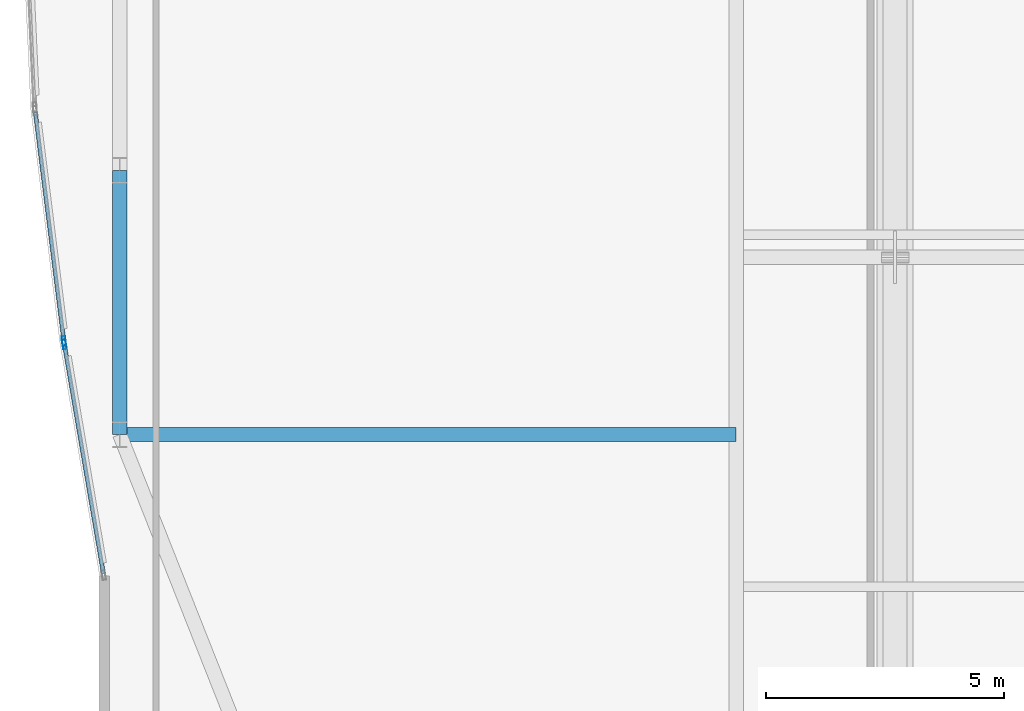
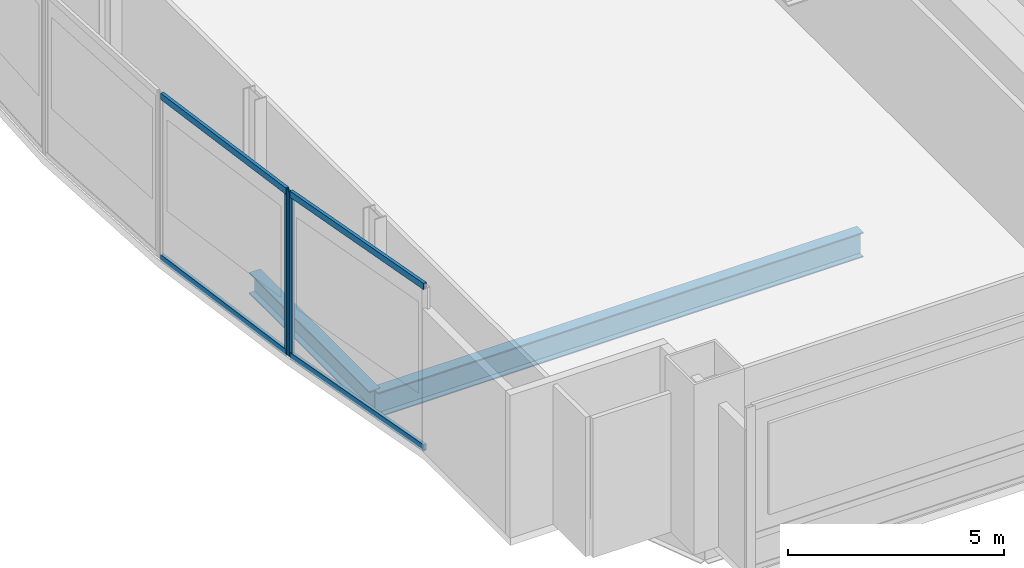
# One storey, part 6 of 30: 6 members, 2 beams, 2 elements without a shape of their own.
"""IFC4 building model written with IfcOpenShell, lengths in metres."""

from ifc_helpers import new_model, si_unit, direction, frame, origin, origin_2d, place, context, subcontext, project, spatial, hollow_rectangle, i_section, extrude, material, material_profile, profile_set, type_object, element, aggregate, save


model = new_model("IFC4")

# Units and contexts
model_context = context("Model", 3, precision=1e-05, world=origin(), true_north=direction((0.0, 1.0)))
body_context = subcontext(model_context, "Body", "Model", "MODEL_VIEW")
ifc_project = project(units=[si_unit("LENGTHUNIT", "METRE"), si_unit("AREAUNIT", "SQUARE_METRE"), si_unit("VOLUMEUNIT", "CUBIC_METRE"), si_unit("PLANEANGLEUNIT", "RADIAN"), si_unit("MASSUNIT", "GRAM", prefix="KILO")], contexts=[model_context])

# Site, building, storey
site_placement = place(None, origin())
site = spatial("IfcSite", under=ifc_project, at=site_placement, CompositionType="ELEMENT")
building_placement = place(site_placement, origin())
building = spatial("IfcBuilding", under=site, at=building_placement, Name="Khoronbel Lancet Exchange", CompositionType="ELEMENT")
storey_placement = place(building_placement, frame((0.0, 0.0, 172.199951171875)))
storey = spatial("IfcBuildingStorey", under=building, at=storey_placement, Name="L43", CompositionType="ELEMENT", Elevation=172.199951171875)

# Beams
ifc_material_1 = material(Name="Steel S355", Category="steel")
ifc_material_profile_1 = material_profile(ifc_material_1, i_section(OverallWidth=0.300048828125, OverallDepth=0.699951171875, WebThickness=0.01708984375, FlangeThickness=0.031982421875, at=origin_2d()), Name="HEB 700")
ifc_profile_set_1 = profile_set([ifc_material_profile_1], Name="Steel S355")
beam_type_1 = type_object("IfcBeamType", Name="BM-BG3", PredefinedType="BEAM", material=ifc_profile_set_1)
beam_1_placement = place(storey_placement, frame((5.27001953125, 19.199951171875, -0.570068359375), z_axis=(1.0, 0.0, 0.0), x_axis=(0.0, 1.0, 0.0)))
element("IfcBeam", 1, at=beam_1_placement, inside=storey, type_object=beam_type_1, Name="Level L43 west lens tie girder LG1W", PredefinedType="BEAM", context=body_context, shape_type="SweptSolid", body=[
    extrude(i_section(OverallWidth=0.300048828125, OverallDepth=0.699951171875, WebThickness=0.01708984375, FlangeThickness=0.031982421875, at=origin_2d()), origin(), (0.0, 0.0, 1.0), 12.955078125),
])
ifc_material_profile_2 = material_profile(ifc_material_1, i_section(OverallWidth=0.300048828125, OverallDepth=0.60009765625, WebThickness=0.015380859375, FlangeThickness=0.030029296875, at=origin_2d()), Name="HEB 600")
ifc_profile_set_2 = profile_set([ifc_material_profile_2], Name="Steel S355")
beam_type_2 = type_object("IfcBeamType", Name="BM-BSP2", PredefinedType="SPANDREL", material=ifc_profile_set_2)
beam_2_placement = place(storey_placement, frame((5.27001953125, 24.75, -0.52001953125), z_axis=(0.0, -1.0, 0.0), x_axis=(1.0, 0.0, 0.0)))
element("IfcBeam", 2, at=beam_2_placement, inside=storey, type_object=beam_type_2, Name="Level L43 perimeter spandrel beam SP20", PredefinedType="SPANDREL", context=body_context, shape_type="SweptSolid", body=[
    extrude(i_section(OverallWidth=0.300048828125, OverallDepth=0.60009765625, WebThickness=0.015380859375, FlangeThickness=0.030029296875, at=origin_2d()), origin(), (0.0, 0.0, 1.0), 5.550048828125),
])

# Curtain wall, member
ifc_material_2 = material(Name="Low-E Solar Control Insulating Glass", Category="glass")
curtain_wall_type = type_object("IfcCurtainWallType", Name="CW-4", PredefinedType="NOTDEFINED", material=ifc_material_2)
curtain_wall_1_placement = place(storey_placement, origin())
curtain_wall_1 = element("IfcCurtainWall", 3, at=curtain_wall_1_placement, inside=storey, type_object=curtain_wall_type, Name="Unitised curtain wall CW-L43-E04", PredefinedType="NOTDEFINED")
ifc_material_3 = material(Name="Bronze-Anodised Aluminium 6063-T6", Category="aluminium")
ifc_material_profile_3 = material_profile(ifc_material_3, hollow_rectangle(XDim=0.074951171875, YDim=0.199951171875, WallThickness=0.0048828125, at=origin_2d()), Name="ALU MULLION 75x200")
ifc_profile_set_3 = profile_set([ifc_material_profile_3], Name="Bronze-Anodised Aluminium 6063-T6")
member_type_1 = type_object("IfcMemberType", Name="MEM-CWM2", PredefinedType="MULLION", material=ifc_profile_set_3)
member_1_placement = place(storey_placement, frame((4.107421875, 21.0927734375, 0.0), z_axis=(0.0, 0.0, 1.0), x_axis=(-0.985785410135, -0.168009300828, 0.0)))
member_1 = element("IfcMember", 4, at=member_1_placement, type_object=member_type_1, Name="CW4 mullion 2", PredefinedType="MULLION", context=body_context, shape_type="SweptSolid", body=[
    extrude(hollow_rectangle(XDim=0.074951171875, YDim=0.199951171875, WallThickness=0.0048828125, at=origin_2d()), origin(), (0.0, 0.0, 1.0), 4.64013671875),
])

curtain_wall_2_placement = place(storey_placement, origin())
curtain_wall_2 = element("IfcCurtainWall", 5, at=curtain_wall_2_placement, inside=storey, type_object=curtain_wall_type, Name="Unitised curtain wall CW-L43-E05", PredefinedType="NOTDEFINED")
member_2_placement = place(storey_placement, frame((4.096435546875, 21.1669921875, 0.0), z_axis=(0.0, 0.0, 1.0), x_axis=(-0.992302414475, -0.123838274483, 0.0)))
member_2 = element("IfcMember", 6, at=member_2_placement, type_object=member_type_1, Name="CW4 mullion 1", PredefinedType="MULLION", context=body_context, shape_type="SweptSolid", body=[
    extrude(hollow_rectangle(XDim=0.074951171875, YDim=0.199951171875, WallThickness=0.0048828125, at=origin_2d()), origin(), (0.0, 0.0, 1.0), 4.64013671875),
])

# Member
ifc_material_profile_4 = material_profile(ifc_material_3, hollow_rectangle(XDim=0.0849609375, YDim=0.179931640625, WallThickness=0.0048828125, at=origin_2d()), Name="ALU TRANSOM 85x180")
ifc_profile_set_4 = profile_set([ifc_material_profile_4], Name="Bronze-Anodised Aluminium 6063-T6")
member_type_2 = type_object("IfcMemberType", Name="MEM-CWT1", PredefinedType="USERDEFINED", material=ifc_profile_set_4)
member_3_placement = place(storey_placement, frame((4.927490234375, 16.281494140625, 0.04248046875), z_axis=(-0.168010934942, 0.985785131629, 0.0), x_axis=(-0.985785131629, -0.168010934942, 0.0)))
member_3 = element("IfcMember", 7, at=member_3_placement, type_object=member_type_2, Name="CW4 transom 1.1", ObjectType="TRANSOM", PredefinedType="USERDEFINED", context=body_context, shape_type="SweptSolid", body=[
    extrude(hollow_rectangle(XDim=0.0849609375, YDim=0.179931640625, WallThickness=0.0048828125, at=origin_2d()), origin(), (0.0, 0.0, 1.0), 4.84326171875),
])

member_4_placement = place(storey_placement, frame((4.927490234375, 16.281494140625, 4.59765625), z_axis=(-0.168010934942, 0.985785131629, 0.0), x_axis=(-0.985785131629, -0.168010934942, 0.0)))
member_4 = element("IfcMember", 8, at=member_4_placement, type_object=member_type_2, Name="CW4 transom 1.2", ObjectType="TRANSOM", PredefinedType="USERDEFINED", context=body_context, shape_type="SweptSolid", body=[
    extrude(hollow_rectangle(XDim=0.0849609375, YDim=0.179931640625, WallThickness=0.0048828125, at=origin_2d()), origin(), (0.0, 0.0, 1.0), 4.84326171875),
])

aggregate(curtain_wall_1, [member_1, member_3, member_4])

member_5_placement = place(storey_placement, frame((4.091796875, 21.2041015625, 0.04248046875), z_axis=(-0.123815602756, 0.992305243619, 0.0), x_axis=(-0.992305243619, -0.123815602756, 0.0)))
member_5 = element("IfcMember", 9, at=member_5_placement, type_object=member_type_2, Name="CW4 transom 1.1", ObjectType="TRANSOM", PredefinedType="USERDEFINED", context=body_context, shape_type="SweptSolid", body=[
    extrude(hollow_rectangle(XDim=0.0849609375, YDim=0.179931640625, WallThickness=0.0048828125, at=origin_2d()), origin(), (0.0, 0.0, 1.0), 4.79931640625),
])

member_6_placement = place(storey_placement, frame((4.091796875, 21.2041015625, 4.59765625), z_axis=(-0.123815602756, 0.992305243619, 0.0), x_axis=(-0.992305243619, -0.123815602756, 0.0)))
member_6 = element("IfcMember", 10, at=member_6_placement, type_object=member_type_2, Name="CW4 transom 1.2", ObjectType="TRANSOM", PredefinedType="USERDEFINED", context=body_context, shape_type="SweptSolid", body=[
    extrude(hollow_rectangle(XDim=0.0849609375, YDim=0.179931640625, WallThickness=0.0048828125, at=origin_2d()), origin(), (0.0, 0.0, 1.0), 4.79931640625),
])

aggregate(curtain_wall_2, [member_2, member_5, member_6])

save(model, "model.ifc")
